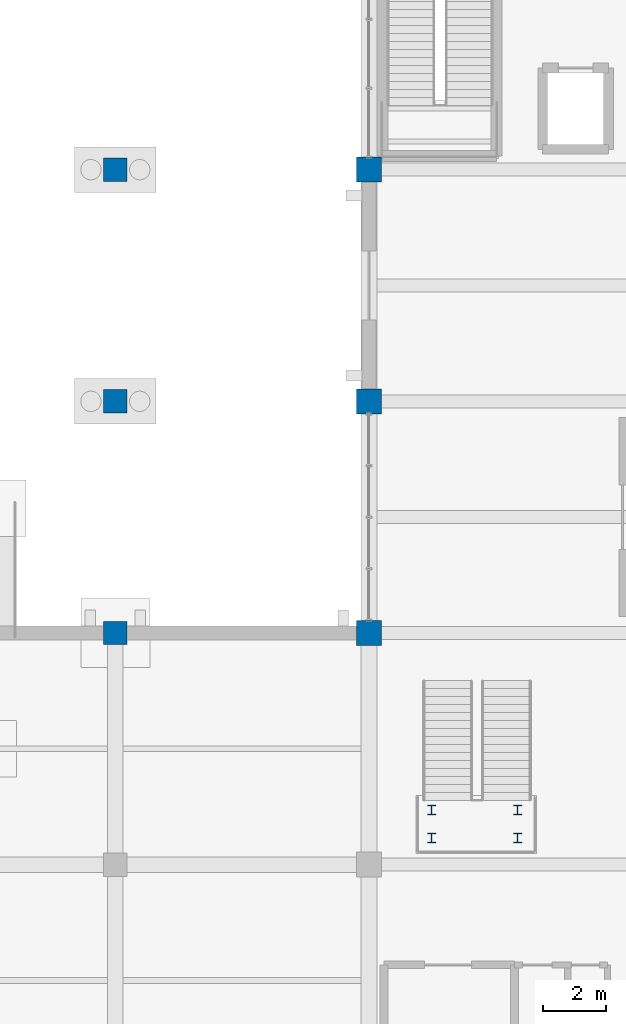
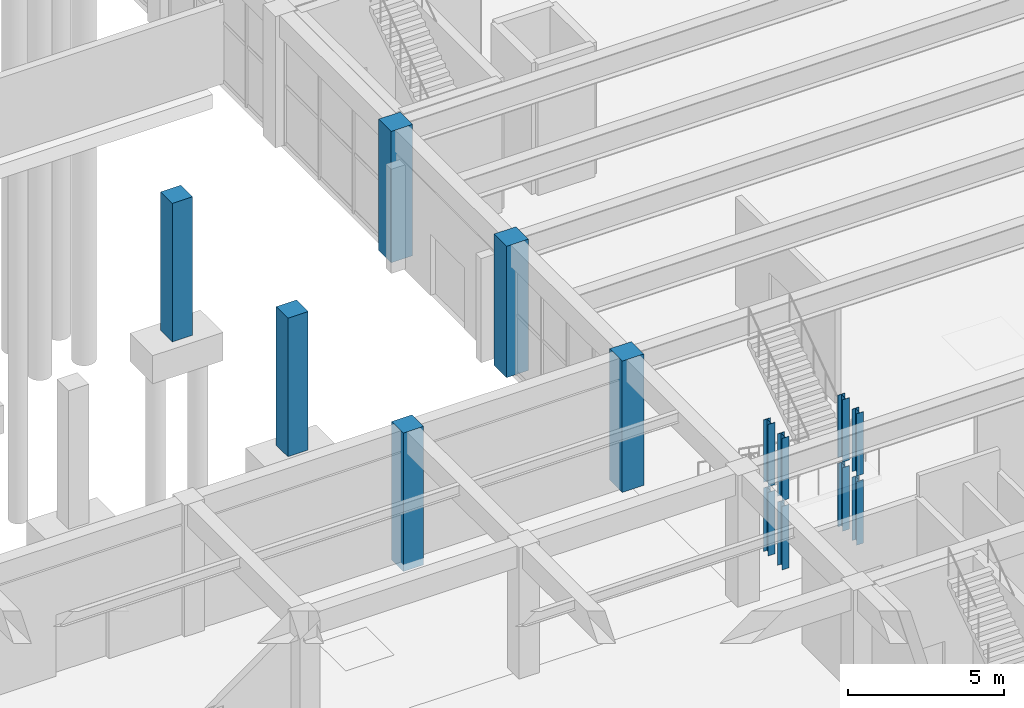
# One storey, part 4 of 140: 14 columns.
"""IFC4 building model written with IfcOpenShell, lengths in metres."""

from ifc_helpers import new_model, si_unit, direction, frame, origin, origin_2d, place, context, subcontext, project, spatial, rectangle, i_section, extrude, material, material_profile, profile_set, type_object, element, save


model = new_model("IFC4")

# Units and contexts
model_context = context("Model", 3, precision=1e-05, world=origin(), true_north=direction((0.0, 1.0)))
body_context = subcontext(model_context, "Body", "Model", "MODEL_VIEW")
ifc_project = project(units=[si_unit("LENGTHUNIT", "METRE"), si_unit("AREAUNIT", "SQUARE_METRE"), si_unit("VOLUMEUNIT", "CUBIC_METRE"), si_unit("PLANEANGLEUNIT", "RADIAN"), si_unit("MASSUNIT", "GRAM", prefix="KILO")], contexts=[model_context])

# Site, building, storey
site_placement = place(None, origin())
site = spatial("IfcSite", under=ifc_project, at=site_placement, CompositionType="ELEMENT")
building_placement = place(site_placement, origin())
building = spatial("IfcBuilding", under=site, at=building_placement, Name="Cimatlan Art Gallery", CompositionType="ELEMENT")
storey_placement = place(building_placement, origin())
storey = spatial("IfcBuildingStorey", under=building, at=storey_placement, Name="L00", CompositionType="ELEMENT", Elevation=0.0)

# Columns
ifc_material_1 = material(Name="Concrete C45/55", Category="concrete")
ifc_material_profile_1 = material_profile(ifc_material_1, rectangle(XDim=0.75, YDim=0.75, at=origin_2d()), Name="RC750X750")
ifc_profile_set_1 = profile_set([ifc_material_profile_1], Name="Concrete C45/55")
column_type_1 = type_object("IfcColumnType", Name="COL-RC-750", PredefinedType="COLUMN", material=ifc_profile_set_1)
for number, where, z_axis, x_axis, name in (
    (1, (66.800048828125, 46.10009765625, -0.280029296875), (0.0, 0.0, 1.0), (1.0, 0.0, 0.0), "COL-L00-08-06"),
    (2, (66.800048828125, 53.5, -0.280029296875), (0.0, 0.0, 1.0), (1.0, 0.0, 0.0), "COL-L00-08-07"),
    (3, (66.800048828125, 60.89990234375, -0.280029296875), (0.0, 0.0, 1.0), (1.0, 0.0, 0.0), "COL-L00-08-08"),
):
    element("IfcColumn", number, at=place(storey_placement, frame(where, z_axis=z_axis, x_axis=x_axis)), inside=storey, type_object=column_type_1, Name=name, PredefinedType="COLUMN", context=body_context, shape_type="SweptSolid", body=[
        extrude(rectangle(XDim=0.75, YDim=0.75, at=origin_2d()), origin(), (0.0, 0.0, 1.0), 5.4150390625),
    ])
ifc_material_profile_2 = material_profile(ifc_material_1, rectangle(XDim=0.800048828125, YDim=0.800048828125, at=origin_2d()), Name="RC800X800")
ifc_profile_set_2 = profile_set([ifc_material_profile_2], Name="Concrete C45/55")
column_type_2 = type_object("IfcColumnType", Name="COL-RC-800", PredefinedType="COLUMN", material=ifc_profile_set_2)
for number, where, z_axis, x_axis, name in (
    (4, (74.89990234375, 46.10009765625, 0.0), (0.0, 0.0, 1.0), (1.0, 0.0, 0.0), "COL-L00-09-06"),
    (5, (74.89990234375, 53.5, 0.0), (0.0, 0.0, 1.0), (1.0, 0.0, 0.0), "COL-L00-09-07"),
    (6, (74.89990234375, 60.89990234375, 0.0), (0.0, 0.0, 1.0), (1.0, 0.0, 0.0), "COL-L00-09-08"),
):
    element("IfcColumn", number, at=place(storey_placement, frame(where, z_axis=z_axis, x_axis=x_axis)), inside=storey, type_object=column_type_2, Name=name, PredefinedType="COLUMN", context=body_context, shape_type="SweptSolid", body=[
        extrude(rectangle(XDim=0.800048828125, YDim=0.800048828125, at=origin_2d()), origin(), (0.0, 0.0, 1.0), 5.135009765625),
    ])
ifc_material_2 = material(Name="Steel ASTM A992 Grade 50", Category="steel")
ifc_material_profile_3 = material_profile(ifc_material_2, i_section(OverallWidth=0.25390625, OverallDepth=0.305908203125, WebThickness=0.0087890625, FlangeThickness=0.0146484375, at=origin_2d()), Name="W12X53")
ifc_profile_set_3 = profile_set([ifc_material_profile_3], Name="Steel ASTM A992 Grade 50")
column_type_3 = type_object("IfcColumnType", Name="COL-STL-W12X53", PredefinedType="COLUMN", material=ifc_profile_set_3)
column_1_placement = place(storey_placement, frame((76.89990234375, 39.550048828125, 0.0), z_axis=(0.0, 0.0, 1.0), x_axis=(1.0, 0.0, 0.0)))
element("IfcColumn", 7, at=column_1_placement, inside=storey, type_object=column_type_3, Name="COL-FS95-L00A-1", PredefinedType="COLUMN", context=body_context, shape_type="SweptSolid", body=[
    extrude(i_section(OverallWidth=0.25390625, OverallDepth=0.305908203125, WebThickness=0.0087890625, FlangeThickness=0.0146484375, at=origin_2d()), origin(), (0.0, 0.0, 1.0), 2.47998046875),
])
column_2_placement = place(storey_placement, frame((76.89990234375, 39.550048828125, 2.699951171875), z_axis=(0.0, 0.0, 1.0), x_axis=(1.0, 0.0, 0.0)))
element("IfcColumn", 8, at=column_2_placement, inside=storey, type_object=column_type_3, Name="COL-FS95-L00B-1", PredefinedType="COLUMN", context=body_context, shape_type="SweptSolid", body=[
    extrude(i_section(OverallWidth=0.25390625, OverallDepth=0.305908203125, WebThickness=0.0087890625, FlangeThickness=0.0146484375, at=origin_2d()), origin(), (0.0, 0.0, 1.0), 2.43505859375),
])
column_3_placement = place(storey_placement, frame((79.64990234375, 39.550048828125, 0.0), z_axis=(0.0, 0.0, 1.0), x_axis=(1.0, 0.0, 0.0)))
element("IfcColumn", 9, at=column_3_placement, inside=storey, type_object=column_type_3, Name="COL-FS95-L00A-2", PredefinedType="COLUMN", context=body_context, shape_type="SweptSolid", body=[
    extrude(i_section(OverallWidth=0.25390625, OverallDepth=0.305908203125, WebThickness=0.0087890625, FlangeThickness=0.0146484375, at=origin_2d()), origin(), (0.0, 0.0, 1.0), 2.47998046875),
])
column_4_placement = place(storey_placement, frame((79.64990234375, 39.550048828125, 2.699951171875), z_axis=(0.0, 0.0, 1.0), x_axis=(1.0, 0.0, 0.0)))
element("IfcColumn", 10, at=column_4_placement, inside=storey, type_object=column_type_3, Name="COL-FS95-L00B-2", PredefinedType="COLUMN", context=body_context, shape_type="SweptSolid", body=[
    extrude(i_section(OverallWidth=0.25390625, OverallDepth=0.305908203125, WebThickness=0.0087890625, FlangeThickness=0.0146484375, at=origin_2d()), origin(), (0.0, 0.0, 1.0), 2.43505859375),
])
column_5_placement = place(storey_placement, frame((76.89990234375, 40.449951171875, 0.0), z_axis=(0.0, 0.0, 1.0), x_axis=(1.0, 0.0, 0.0)))
element("IfcColumn", 11, at=column_5_placement, inside=storey, type_object=column_type_3, Name="COL-FS95-L00A-3", PredefinedType="COLUMN", context=body_context, shape_type="SweptSolid", body=[
    extrude(i_section(OverallWidth=0.25390625, OverallDepth=0.305908203125, WebThickness=0.0087890625, FlangeThickness=0.0146484375, at=origin_2d()), origin(), (0.0, 0.0, 1.0), 2.47998046875),
])
column_6_placement = place(storey_placement, frame((76.89990234375, 40.449951171875, 2.699951171875), z_axis=(0.0, 0.0, 1.0), x_axis=(1.0, 0.0, 0.0)))
element("IfcColumn", 12, at=column_6_placement, inside=storey, type_object=column_type_3, Name="COL-FS95-L00B-3", PredefinedType="COLUMN", context=body_context, shape_type="SweptSolid", body=[
    extrude(i_section(OverallWidth=0.25390625, OverallDepth=0.305908203125, WebThickness=0.0087890625, FlangeThickness=0.0146484375, at=origin_2d()), origin(), (0.0, 0.0, 1.0), 2.43505859375),
])
column_7_placement = place(storey_placement, frame((79.64990234375, 40.449951171875, 0.0), z_axis=(0.0, 0.0, 1.0), x_axis=(1.0, 0.0, 0.0)))
element("IfcColumn", 13, at=column_7_placement, inside=storey, type_object=column_type_3, Name="COL-FS95-L00A-4", PredefinedType="COLUMN", context=body_context, shape_type="SweptSolid", body=[
    extrude(i_section(OverallWidth=0.25390625, OverallDepth=0.305908203125, WebThickness=0.0087890625, FlangeThickness=0.0146484375, at=origin_2d()), origin(), (0.0, 0.0, 1.0), 2.47998046875),
])
column_8_placement = place(storey_placement, frame((79.64990234375, 40.449951171875, 2.699951171875), z_axis=(0.0, 0.0, 1.0), x_axis=(1.0, 0.0, 0.0)))
element("IfcColumn", 14, at=column_8_placement, inside=storey, type_object=column_type_3, Name="COL-FS95-L00B-4", PredefinedType="COLUMN", context=body_context, shape_type="SweptSolid", body=[
    extrude(i_section(OverallWidth=0.25390625, OverallDepth=0.305908203125, WebThickness=0.0087890625, FlangeThickness=0.0146484375, at=origin_2d()), origin(), (0.0, 0.0, 1.0), 2.43505859375),
])

save(model, "model.ifc")
